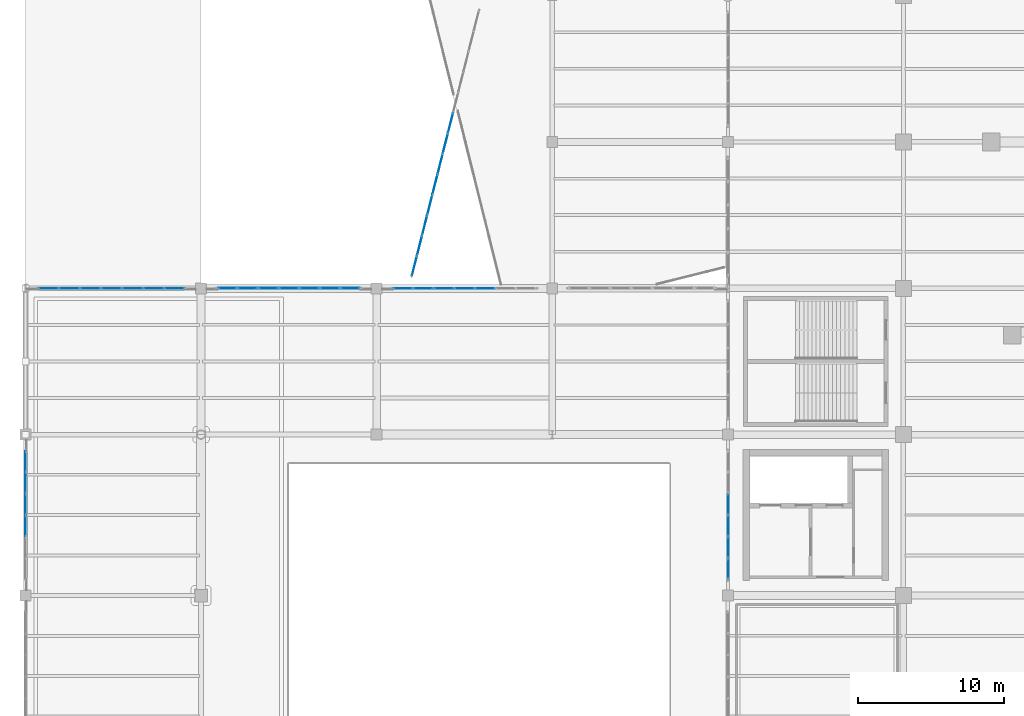
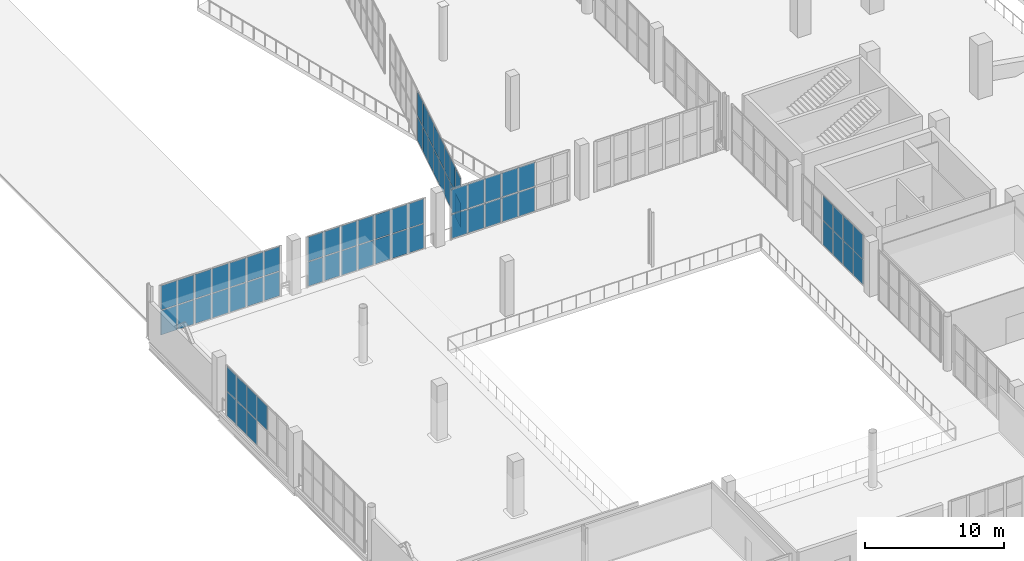
# One storey, part 93 of 136: 69 plates, 6 elements without a shape of their own.
"""IFC4 building model written with IfcOpenShell, lengths in metres."""

from ifc_helpers import new_model, si_unit, direction, frame, origin, origin_2d, place, context, subcontext, project, spatial, rectangle, extrude, material, layer, layer_set, type_object, element, aggregate, save


model = new_model("IFC4")

# Units and contexts
model_context = context("Model", 3, precision=1e-05, world=origin(), true_north=direction((0.0, 1.0)))
body_context = subcontext(model_context, "Body", "Model", "MODEL_VIEW")
ifc_project = project(units=[si_unit("LENGTHUNIT", "METRE"), si_unit("AREAUNIT", "SQUARE_METRE"), si_unit("VOLUMEUNIT", "CUBIC_METRE"), si_unit("PLANEANGLEUNIT", "RADIAN"), si_unit("MASSUNIT", "GRAM", prefix="KILO")], contexts=[model_context])

# Site, building, storey
site_placement = place(None, origin())
site = spatial("IfcSite", under=ifc_project, at=site_placement, CompositionType="ELEMENT")
building_placement = place(site_placement, origin())
building = spatial("IfcBuilding", under=site, at=building_placement, Name="Brinegate Civic Arena", CompositionType="ELEMENT")
storey_placement = place(building_placement, frame((0.0, 0.0, 5.39990234375)))
storey = spatial("IfcBuildingStorey", under=building, at=storey_placement, Name="L01", CompositionType="ELEMENT", Elevation=5.39990234375)

# Curtain wall, plates
ifc_material_1 = material(Name="Marine grade aluminium", Category="aluminium")
ifc_layer_1 = layer(ifc_material_1, 0.215087890625, Name="Marine grade aluminium")
ifc_layer_set_1 = layer_set([ifc_layer_1], Name="Marine grade aluminium")
curtain_wall_type_1 = type_object("IfcCurtainWallType", Name="CW-FOYER-GLAZED-02", PredefinedType="USERDEFINED", material=ifc_layer_set_1)
curtain_wall_1_placement = place(storey_placement, origin())
curtain_wall_1 = element("IfcCurtainWall", 1, at=curtain_wall_1_placement, inside=storey, type_object=curtain_wall_type_1, Name="Curtain Wall CWA-001", ObjectType="GLAZED CURTAIN WALL", PredefinedType="USERDEFINED")
ifc_material_2 = material(Name="Hurricane laminated low-E glass", Category="glass")
ifc_layer_2 = layer(ifc_material_2, 0.031982421875, Name="Hurricane laminated low-E glass")
ifc_layer_set_2 = layer_set([ifc_layer_2], Name="Hurricane laminated low-E glass")
plate_type_1 = type_object("IfcPlateType", Name="CW-PANEL-GLAZED-32", PredefinedType="CURTAIN_PANEL", material=ifc_layer_set_2)
plate_1_placement = place(storey_placement, frame((26.580810546875, 53.515869140625, 0.06494140625), z_axis=(0.0, 0.0, 1.0), x_axis=(0.245041635134, 0.969512556417, 0.0)))
plate_1 = element("IfcPlate", 2, at=plate_1_placement, type_object=plate_type_1, Name="CWA-001 panel 1.1", PredefinedType="CURTAIN_PANEL", context=body_context, shape_type="SweptSolid", body=[
    extrude(rectangle(XDim=1.346435546875, YDim=0.031982421875, at=origin_2d()), origin(), (0.0, 0.0, 1.0), 2.137451171875),
])
plate_2_placement = place(storey_placement, frame((26.580810546875, 53.515869140625, 2.267578125), z_axis=(0.0, 0.0, 1.0), x_axis=(0.245041635134, 0.969512556417, 0.0)))
plate_2 = element("IfcPlate", 3, at=plate_2_placement, type_object=plate_type_1, Name="CWA-001 panel 1.2", PredefinedType="CURTAIN_PANEL", context=body_context, shape_type="SweptSolid", body=[
    extrude(rectangle(XDim=1.346435546875, YDim=0.031982421875, at=origin_2d()), origin(), (0.0, 0.0, 1.0), 2.137451171875),
])
plate_3_placement = place(storey_placement, frame((26.9306640625, 54.89990234375, 0.06494140625), z_axis=(0.0, 0.0, 1.0), x_axis=(0.245041635134, 0.969512556417, 0.0)))
plate_3 = element("IfcPlate", 4, at=plate_3_placement, type_object=plate_type_1, Name="CWA-001 panel 2.1", PredefinedType="CURTAIN_PANEL", context=body_context, shape_type="SweptSolid", body=[
    extrude(rectangle(XDim=1.37890625, YDim=0.031982421875, at=origin_2d()), origin(), (0.0, 0.0, 1.0), 2.137451171875),
])
plate_4_placement = place(storey_placement, frame((26.9306640625, 54.89990234375, 2.267578125), z_axis=(0.0, 0.0, 1.0), x_axis=(0.245041635134, 0.969512556417, 0.0)))
plate_4 = element("IfcPlate", 5, at=plate_4_placement, type_object=plate_type_1, Name="CWA-001 panel 2.2", PredefinedType="CURTAIN_PANEL", context=body_context, shape_type="SweptSolid", body=[
    extrude(rectangle(XDim=1.37890625, YDim=0.031982421875, at=origin_2d()), origin(), (0.0, 0.0, 1.0), 2.137451171875),
])
plate_5_placement = place(storey_placement, frame((27.28466796875, 56.300048828125, 0.06494140625), z_axis=(0.0, 0.0, 1.0), x_axis=(0.245041635134, 0.969512556417, 0.0)))
plate_5 = element("IfcPlate", 6, at=plate_5_placement, type_object=plate_type_1, Name="CWA-001 panel 3.1", PredefinedType="CURTAIN_PANEL", context=body_context, shape_type="SweptSolid", body=[
    extrude(rectangle(XDim=1.37890625, YDim=0.031982421875, at=origin_2d()), origin(), (0.0, 0.0, 1.0), 2.137451171875),
])
plate_6_placement = place(storey_placement, frame((27.28466796875, 56.300048828125, 2.267578125), z_axis=(0.0, 0.0, 1.0), x_axis=(0.245041635134, 0.969512556417, 0.0)))
plate_6 = element("IfcPlate", 7, at=plate_6_placement, type_object=plate_type_1, Name="CWA-001 panel 3.2", PredefinedType="CURTAIN_PANEL", context=body_context, shape_type="SweptSolid", body=[
    extrude(rectangle(XDim=1.37890625, YDim=0.031982421875, at=origin_2d()), origin(), (0.0, 0.0, 1.0), 2.137451171875),
])
plate_7_placement = place(storey_placement, frame((27.638427734375, 57.699951171875, 0.06494140625), z_axis=(0.0, 0.0, 1.0), x_axis=(0.245041635134, 0.969512556417, 0.0)))
plate_7 = element("IfcPlate", 8, at=plate_7_placement, type_object=plate_type_1, Name="CWA-001 panel 4.1", PredefinedType="CURTAIN_PANEL", context=body_context, shape_type="SweptSolid", body=[
    extrude(rectangle(XDim=1.37890625, YDim=0.031982421875, at=origin_2d()), origin(), (0.0, 0.0, 1.0), 2.137451171875),
])
plate_8_placement = place(storey_placement, frame((27.638427734375, 57.699951171875, 2.267578125), z_axis=(0.0, 0.0, 1.0), x_axis=(0.245041635134, 0.969512556417, 0.0)))
plate_8 = element("IfcPlate", 9, at=plate_8_placement, type_object=plate_type_1, Name="CWA-001 panel 4.2", PredefinedType="CURTAIN_PANEL", context=body_context, shape_type="SweptSolid", body=[
    extrude(rectangle(XDim=1.37890625, YDim=0.031982421875, at=origin_2d()), origin(), (0.0, 0.0, 1.0), 2.137451171875),
])
plate_9_placement = place(storey_placement, frame((27.9921875, 59.10009765625, 0.06494140625), z_axis=(0.0, 0.0, 1.0), x_axis=(0.245041635134, 0.969512556417, 0.0)))
plate_9 = element("IfcPlate", 10, at=plate_9_placement, type_object=plate_type_1, Name="CWA-001 panel 5.1", PredefinedType="CURTAIN_PANEL", context=body_context, shape_type="SweptSolid", body=[
    extrude(rectangle(XDim=1.37890625, YDim=0.031982421875, at=origin_2d()), origin(), (0.0, 0.0, 1.0), 2.137451171875),
])
plate_10_placement = place(storey_placement, frame((27.9921875, 59.10009765625, 2.267578125), z_axis=(0.0, 0.0, 1.0), x_axis=(0.245041635134, 0.969512556417, 0.0)))
plate_10 = element("IfcPlate", 11, at=plate_10_placement, type_object=plate_type_1, Name="CWA-001 panel 5.2", PredefinedType="CURTAIN_PANEL", context=body_context, shape_type="SweptSolid", body=[
    extrude(rectangle(XDim=1.37890625, YDim=0.031982421875, at=origin_2d()), origin(), (0.0, 0.0, 1.0), 2.137451171875),
])
plate_11_placement = place(storey_placement, frame((28.34619140625, 60.5, 0.06494140625), z_axis=(0.0, 0.0, 1.0), x_axis=(0.245041635134, 0.969512556417, 0.0)))
plate_11 = element("IfcPlate", 12, at=plate_11_placement, type_object=plate_type_1, Name="CWA-001 panel 6.1", PredefinedType="CURTAIN_PANEL", context=body_context, shape_type="SweptSolid", body=[
    extrude(rectangle(XDim=1.37890625, YDim=0.031982421875, at=origin_2d()), origin(), (0.0, 0.0, 1.0), 2.137451171875),
])
plate_12_placement = place(storey_placement, frame((28.34619140625, 60.5, 2.267578125), z_axis=(0.0, 0.0, 1.0), x_axis=(0.245041635134, 0.969512556417, 0.0)))
plate_12 = element("IfcPlate", 13, at=plate_12_placement, type_object=plate_type_1, Name="CWA-001 panel 6.2", PredefinedType="CURTAIN_PANEL", context=body_context, shape_type="SweptSolid", body=[
    extrude(rectangle(XDim=1.37890625, YDim=0.031982421875, at=origin_2d()), origin(), (0.0, 0.0, 1.0), 2.137451171875),
])
plate_13_placement = place(storey_placement, frame((28.699951171875, 61.89990234375, 0.06494140625), z_axis=(0.0, 0.0, 1.0), x_axis=(0.245041635134, 0.969512556417, 0.0)))
plate_13 = element("IfcPlate", 14, at=plate_13_placement, type_object=plate_type_1, Name="CWA-001 panel 7.1", PredefinedType="CURTAIN_PANEL", context=body_context, shape_type="SweptSolid", body=[
    extrude(rectangle(XDim=1.37890625, YDim=0.031982421875, at=origin_2d()), origin(), (0.0, 0.0, 1.0), 2.137451171875),
])
plate_14_placement = place(storey_placement, frame((28.699951171875, 61.89990234375, 2.267578125), z_axis=(0.0, 0.0, 1.0), x_axis=(0.245041635134, 0.969512556417, 0.0)))
plate_14 = element("IfcPlate", 15, at=plate_14_placement, type_object=plate_type_1, Name="CWA-001 panel 7.2", PredefinedType="CURTAIN_PANEL", context=body_context, shape_type="SweptSolid", body=[
    extrude(rectangle(XDim=1.37890625, YDim=0.031982421875, at=origin_2d()), origin(), (0.0, 0.0, 1.0), 2.137451171875),
])
plate_15_placement = place(storey_placement, frame((29.053955078125, 63.300048828125, 0.06494140625), z_axis=(0.0, 0.0, 1.0), x_axis=(0.245041635134, 0.969512556417, 0.0)))
plate_15 = element("IfcPlate", 16, at=plate_15_placement, type_object=plate_type_1, Name="CWA-001 panel 8.1", PredefinedType="CURTAIN_PANEL", context=body_context, shape_type="SweptSolid", body=[
    extrude(rectangle(XDim=1.37890625, YDim=0.031982421875, at=origin_2d()), origin(), (0.0, 0.0, 1.0), 2.137451171875),
])
plate_16_placement = place(storey_placement, frame((29.053955078125, 63.300048828125, 2.267578125), z_axis=(0.0, 0.0, 1.0), x_axis=(0.245041635134, 0.969512556417, 0.0)))
plate_16 = element("IfcPlate", 17, at=plate_16_placement, type_object=plate_type_1, Name="CWA-001 panel 8.2", PredefinedType="CURTAIN_PANEL", context=body_context, shape_type="SweptSolid", body=[
    extrude(rectangle(XDim=1.37890625, YDim=0.031982421875, at=origin_2d()), origin(), (0.0, 0.0, 1.0), 2.137451171875),
])
aggregate(curtain_wall_1, [plate_1, plate_2, plate_3, plate_4, plate_5, plate_6, plate_7, plate_8, plate_9, plate_10, plate_11, plate_12, plate_13, plate_14, plate_15, plate_16])

ifc_layer_3 = layer(ifc_material_1, 0.18505859375, Name="Marine grade aluminium")
ifc_layer_set_3 = layer_set([ifc_layer_3], Name="Marine grade aluminium")
curtain_wall_type_2 = type_object("IfcCurtainWallType", Name="CW-WING-GLAZED-03", PredefinedType="USERDEFINED", material=ifc_layer_set_3)
curtain_wall_2_placement = place(storey_placement, origin())
curtain_wall_2 = element("IfcCurtainWall", 18, at=curtain_wall_2_placement, inside=storey, type_object=curtain_wall_type_2, Name="Curtain Wall CWA-013", ObjectType="GLAZED CURTAIN WALL", PredefinedType="USERDEFINED")
plate_17_placement = place(storey_placement, frame((0.0, 35.763427734375, 2.267578125), z_axis=(0.0, 0.0, 1.0), x_axis=(0.0, 1.0, 0.0)))
plate_17 = element("IfcPlate", 19, at=plate_17_placement, type_object=plate_type_1, Name="CWA-013 panel 3.2", PredefinedType="CURTAIN_PANEL", context=body_context, shape_type="SweptSolid", body=[
    extrude(rectangle(XDim=1.408447265625, YDim=0.031982421875, at=origin_2d()), origin(), (0.0, 0.0, 1.0), 2.137451171875),
])
plate_18_placement = place(storey_placement, frame((0.0, 37.236572265625, 0.06494140625), z_axis=(0.0, 0.0, 1.0), x_axis=(0.0, 1.0, 0.0)))
plate_18 = element("IfcPlate", 20, at=plate_18_placement, type_object=plate_type_1, Name="CWA-013 panel 4.1", PredefinedType="CURTAIN_PANEL", context=body_context, shape_type="SweptSolid", body=[
    extrude(rectangle(XDim=1.408447265625, YDim=0.031982421875, at=origin_2d()), origin(), (0.0, 0.0, 1.0), 2.137451171875),
])
plate_19_placement = place(storey_placement, frame((0.0, 37.236572265625, 2.267578125), z_axis=(0.0, 0.0, 1.0), x_axis=(0.0, 1.0, 0.0)))
plate_19 = element("IfcPlate", 21, at=plate_19_placement, type_object=plate_type_1, Name="CWA-013 panel 4.2", PredefinedType="CURTAIN_PANEL", context=body_context, shape_type="SweptSolid", body=[
    extrude(rectangle(XDim=1.408447265625, YDim=0.031982421875, at=origin_2d()), origin(), (0.0, 0.0, 1.0), 2.137451171875),
])
plate_20_placement = place(storey_placement, frame((0.0, 38.7099609375, 0.06494140625), z_axis=(0.0, 0.0, 1.0), x_axis=(0.0, 1.0, 0.0)))
plate_20 = element("IfcPlate", 22, at=plate_20_placement, type_object=plate_type_1, Name="CWA-013 panel 5.1", PredefinedType="CURTAIN_PANEL", context=body_context, shape_type="SweptSolid", body=[
    extrude(rectangle(XDim=1.408447265625, YDim=0.031982421875, at=origin_2d()), origin(), (0.0, 0.0, 1.0), 2.137451171875),
])
plate_21_placement = place(storey_placement, frame((0.0, 38.7099609375, 2.267578125), z_axis=(0.0, 0.0, 1.0), x_axis=(0.0, 1.0, 0.0)))
plate_21 = element("IfcPlate", 23, at=plate_21_placement, type_object=plate_type_1, Name="CWA-013 panel 5.2", PredefinedType="CURTAIN_PANEL", context=body_context, shape_type="SweptSolid", body=[
    extrude(rectangle(XDim=1.408447265625, YDim=0.031982421875, at=origin_2d()), origin(), (0.0, 0.0, 1.0), 2.137451171875),
])
plate_22_placement = place(storey_placement, frame((0.0, 40.1669921875, 0.06494140625), z_axis=(0.0, 0.0, 1.0), x_axis=(0.0, 1.0, 0.0)))
plate_22 = element("IfcPlate", 24, at=plate_22_placement, type_object=plate_type_1, Name="CWA-013 panel 6.1", PredefinedType="CURTAIN_PANEL", context=body_context, shape_type="SweptSolid", body=[
    extrude(rectangle(XDim=1.375732421875, YDim=0.031982421875, at=origin_2d()), origin(), (0.0, 0.0, 1.0), 2.137451171875),
])
plate_23_placement = place(storey_placement, frame((0.0, 40.1669921875, 2.267578125), z_axis=(0.0, 0.0, 1.0), x_axis=(0.0, 1.0, 0.0)))
plate_23 = element("IfcPlate", 25, at=plate_23_placement, type_object=plate_type_1, Name="CWA-013 panel 6.2", PredefinedType="CURTAIN_PANEL", context=body_context, shape_type="SweptSolid", body=[
    extrude(rectangle(XDim=1.375732421875, YDim=0.031982421875, at=origin_2d()), origin(), (0.0, 0.0, 1.0), 2.137451171875),
])
aggregate(curtain_wall_2, [plate_17, plate_18, plate_19, plate_20, plate_21, plate_22, plate_23])

curtain_wall_3_placement = place(storey_placement, origin())
curtain_wall_3 = element("IfcCurtainWall", 26, at=curtain_wall_3_placement, inside=storey, type_object=curtain_wall_type_2, Name="Curtain Wall CWA-016", ObjectType="GLAZED CURTAIN WALL", PredefinedType="USERDEFINED")
plate_24_placement = place(storey_placement, frame((25.799072265625, 52.0, 0.074951171875), z_axis=(0.0, 0.0, 1.0), x_axis=(1.0, 0.0, 0.0)))
plate_24 = element("IfcPlate", 27, at=plate_24_placement, type_object=plate_type_1, Name="CWA-016 panel 1.1", PredefinedType="CURTAIN_PANEL", context=body_context, shape_type="SweptSolid", body=[
    extrude(rectangle(XDim=1.30810546875, YDim=0.031982421875, at=origin_2d()), origin(), (0.0, 0.0, 1.0), 2.12255859375),
])
plate_25_placement = place(storey_placement, frame((25.799072265625, 52.0, 2.2724609375), z_axis=(0.0, 0.0, 1.0), x_axis=(1.0, 0.0, 0.0)))
plate_25 = element("IfcPlate", 28, at=plate_25_placement, type_object=plate_type_1, Name="CWA-016 panel 1.2", PredefinedType="CURTAIN_PANEL", context=body_context, shape_type="SweptSolid", body=[
    extrude(rectangle(XDim=1.30810546875, YDim=0.031982421875, at=origin_2d()), origin(), (0.0, 0.0, 1.0), 2.12255859375),
])
plate_26_placement = place(storey_placement, frame((27.1884765625, 52.0, 0.074951171875), z_axis=(0.0, 0.0, 1.0), x_axis=(1.0, 0.0, 0.0)))
plate_26 = element("IfcPlate", 29, at=plate_26_placement, type_object=plate_type_1, Name="CWA-016 panel 2.1", PredefinedType="CURTAIN_PANEL", context=body_context, shape_type="SweptSolid", body=[
    extrude(rectangle(XDim=1.3408203125, YDim=0.031982421875, at=origin_2d()), origin(), (0.0, 0.0, 1.0), 2.12255859375),
])
plate_27_placement = place(storey_placement, frame((27.1884765625, 52.0, 2.2724609375), z_axis=(0.0, 0.0, 1.0), x_axis=(1.0, 0.0, 0.0)))
plate_27 = element("IfcPlate", 30, at=plate_27_placement, type_object=plate_type_1, Name="CWA-016 panel 2.2", PredefinedType="CURTAIN_PANEL", context=body_context, shape_type="SweptSolid", body=[
    extrude(rectangle(XDim=1.3408203125, YDim=0.031982421875, at=origin_2d()), origin(), (0.0, 0.0, 1.0), 2.12255859375),
])
plate_28_placement = place(storey_placement, frame((28.59423828125, 52.0, 0.074951171875), z_axis=(0.0, 0.0, 1.0), x_axis=(1.0, 0.0, 0.0)))
plate_28 = element("IfcPlate", 31, at=plate_28_placement, type_object=plate_type_1, Name="CWA-016 panel 3.1", PredefinedType="CURTAIN_PANEL", context=body_context, shape_type="SweptSolid", body=[
    extrude(rectangle(XDim=1.3408203125, YDim=0.031982421875, at=origin_2d()), origin(), (0.0, 0.0, 1.0), 2.12255859375),
])
plate_29_placement = place(storey_placement, frame((28.59423828125, 52.0, 2.2724609375), z_axis=(0.0, 0.0, 1.0), x_axis=(1.0, 0.0, 0.0)))
plate_29 = element("IfcPlate", 32, at=plate_29_placement, type_object=plate_type_1, Name="CWA-016 panel 3.2", PredefinedType="CURTAIN_PANEL", context=body_context, shape_type="SweptSolid", body=[
    extrude(rectangle(XDim=1.3408203125, YDim=0.031982421875, at=origin_2d()), origin(), (0.0, 0.0, 1.0), 2.12255859375),
])
plate_30_placement = place(storey_placement, frame((30.0, 52.0, 0.074951171875), z_axis=(0.0, 0.0, 1.0), x_axis=(1.0, 0.0, 0.0)))
plate_30 = element("IfcPlate", 33, at=plate_30_placement, type_object=plate_type_1, Name="CWA-016 panel 4.1", PredefinedType="CURTAIN_PANEL", context=body_context, shape_type="SweptSolid", body=[
    extrude(rectangle(XDim=1.3408203125, YDim=0.031982421875, at=origin_2d()), origin(), (0.0, 0.0, 1.0), 2.12255859375),
])
plate_31_placement = place(storey_placement, frame((30.0, 52.0, 2.2724609375), z_axis=(0.0, 0.0, 1.0), x_axis=(1.0, 0.0, 0.0)))
plate_31 = element("IfcPlate", 34, at=plate_31_placement, type_object=plate_type_1, Name="CWA-016 panel 4.2", PredefinedType="CURTAIN_PANEL", context=body_context, shape_type="SweptSolid", body=[
    extrude(rectangle(XDim=1.3408203125, YDim=0.031982421875, at=origin_2d()), origin(), (0.0, 0.0, 1.0), 2.12255859375),
])
plate_32_placement = place(storey_placement, frame((31.40576171875, 52.0, 0.074951171875), z_axis=(0.0, 0.0, 1.0), x_axis=(1.0, 0.0, 0.0)))
plate_32 = element("IfcPlate", 35, at=plate_32_placement, type_object=plate_type_1, Name="CWA-016 panel 5.1", PredefinedType="CURTAIN_PANEL", context=body_context, shape_type="SweptSolid", body=[
    extrude(rectangle(XDim=1.3408203125, YDim=0.031982421875, at=origin_2d()), origin(), (0.0, 0.0, 1.0), 2.12255859375),
])
plate_33_placement = place(storey_placement, frame((31.40576171875, 52.0, 2.2724609375), z_axis=(0.0, 0.0, 1.0), x_axis=(1.0, 0.0, 0.0)))
plate_33 = element("IfcPlate", 36, at=plate_33_placement, type_object=plate_type_1, Name="CWA-016 panel 5.2", PredefinedType="CURTAIN_PANEL", context=body_context, shape_type="SweptSolid", body=[
    extrude(rectangle(XDim=1.3408203125, YDim=0.031982421875, at=origin_2d()), origin(), (0.0, 0.0, 1.0), 2.12255859375),
])
aggregate(curtain_wall_3, [plate_24, plate_25, plate_26, plate_27, plate_28, plate_29, plate_30, plate_31, plate_32, plate_33])

curtain_wall_4_placement = place(storey_placement, origin())
curtain_wall_4 = element("IfcCurtainWall", 37, at=curtain_wall_4_placement, inside=storey, type_object=curtain_wall_type_2, Name="Curtain Wall CWA-063", ObjectType="GLAZED CURTAIN WALL", PredefinedType="USERDEFINED")
plate_34_placement = place(storey_placement, frame((1.578125, 52.0, 0.06494140625), z_axis=(0.0, 0.0, 1.0), x_axis=(1.0, 0.0, 0.0)))
plate_34 = element("IfcPlate", 38, at=plate_34_placement, type_object=plate_type_1, Name="CWA-063 panel 1.1", PredefinedType="CURTAIN_PANEL", context=body_context, shape_type="SweptSolid", body=[
    extrude(rectangle(XDim=1.34228515625, YDim=0.031982421875, at=origin_2d()), origin(), (0.0, 0.0, 1.0), 2.137451171875),
])
plate_35_placement = place(storey_placement, frame((1.578125, 52.0, 2.267578125), z_axis=(0.0, 0.0, 1.0), x_axis=(1.0, 0.0, 0.0)))
plate_35 = element("IfcPlate", 39, at=plate_35_placement, type_object=plate_type_1, Name="CWA-063 panel 1.2", PredefinedType="CURTAIN_PANEL", context=body_context, shape_type="SweptSolid", body=[
    extrude(rectangle(XDim=1.34228515625, YDim=0.031982421875, at=origin_2d()), origin(), (0.0, 0.0, 1.0), 2.137451171875),
])
plate_36_placement = place(storey_placement, frame((3.00146484375, 52.0, 0.06494140625), z_axis=(0.0, 0.0, 1.0), x_axis=(1.0, 0.0, 0.0)))
plate_36 = element("IfcPlate", 40, at=plate_36_placement, type_object=plate_type_1, Name="CWA-063 panel 2.1", PredefinedType="CURTAIN_PANEL", context=body_context, shape_type="SweptSolid", body=[
    extrude(rectangle(XDim=1.374755859375, YDim=0.031982421875, at=origin_2d()), origin(), (0.0, 0.0, 1.0), 2.137451171875),
])
plate_37_placement = place(storey_placement, frame((3.00146484375, 52.0, 2.267578125), z_axis=(0.0, 0.0, 1.0), x_axis=(1.0, 0.0, 0.0)))
plate_37 = element("IfcPlate", 41, at=plate_37_placement, type_object=plate_type_1, Name="CWA-063 panel 2.2", PredefinedType="CURTAIN_PANEL", context=body_context, shape_type="SweptSolid", body=[
    extrude(rectangle(XDim=1.374755859375, YDim=0.031982421875, at=origin_2d()), origin(), (0.0, 0.0, 1.0), 2.137451171875),
])
plate_38_placement = place(storey_placement, frame((4.44140625, 52.0, 0.06494140625), z_axis=(0.0, 0.0, 1.0), x_axis=(1.0, 0.0, 0.0)))
plate_38 = element("IfcPlate", 42, at=plate_38_placement, type_object=plate_type_1, Name="CWA-063 panel 3.1", PredefinedType="CURTAIN_PANEL", context=body_context, shape_type="SweptSolid", body=[
    extrude(rectangle(XDim=1.374755859375, YDim=0.031982421875, at=origin_2d()), origin(), (0.0, 0.0, 1.0), 2.137451171875),
])
plate_39_placement = place(storey_placement, frame((4.44140625, 52.0, 2.267578125), z_axis=(0.0, 0.0, 1.0), x_axis=(1.0, 0.0, 0.0)))
plate_39 = element("IfcPlate", 43, at=plate_39_placement, type_object=plate_type_1, Name="CWA-063 panel 3.2", PredefinedType="CURTAIN_PANEL", context=body_context, shape_type="SweptSolid", body=[
    extrude(rectangle(XDim=1.374755859375, YDim=0.031982421875, at=origin_2d()), origin(), (0.0, 0.0, 1.0), 2.137451171875),
])
plate_40_placement = place(storey_placement, frame((5.881103515625, 52.0, 0.06494140625), z_axis=(0.0, 0.0, 1.0), x_axis=(1.0, 0.0, 0.0)))
plate_40 = element("IfcPlate", 44, at=plate_40_placement, type_object=plate_type_1, Name="CWA-063 panel 4.1", PredefinedType="CURTAIN_PANEL", context=body_context, shape_type="SweptSolid", body=[
    extrude(rectangle(XDim=1.374755859375, YDim=0.031982421875, at=origin_2d()), origin(), (0.0, 0.0, 1.0), 2.137451171875),
])
plate_41_placement = place(storey_placement, frame((5.881103515625, 52.0, 2.267578125), z_axis=(0.0, 0.0, 1.0), x_axis=(1.0, 0.0, 0.0)))
plate_41 = element("IfcPlate", 45, at=plate_41_placement, type_object=plate_type_1, Name="CWA-063 panel 4.2", PredefinedType="CURTAIN_PANEL", context=body_context, shape_type="SweptSolid", body=[
    extrude(rectangle(XDim=1.374755859375, YDim=0.031982421875, at=origin_2d()), origin(), (0.0, 0.0, 1.0), 2.137451171875),
])
plate_42_placement = place(storey_placement, frame((7.32080078125, 52.0, 0.06494140625), z_axis=(0.0, 0.0, 1.0), x_axis=(1.0, 0.0, 0.0)))
plate_42 = element("IfcPlate", 46, at=plate_42_placement, type_object=plate_type_1, Name="CWA-063 panel 5.1", PredefinedType="CURTAIN_PANEL", context=body_context, shape_type="SweptSolid", body=[
    extrude(rectangle(XDim=1.374755859375, YDim=0.031982421875, at=origin_2d()), origin(), (0.0, 0.0, 1.0), 2.137451171875),
])
plate_43_placement = place(storey_placement, frame((7.32080078125, 52.0, 2.267578125), z_axis=(0.0, 0.0, 1.0), x_axis=(1.0, 0.0, 0.0)))
plate_43 = element("IfcPlate", 47, at=plate_43_placement, type_object=plate_type_1, Name="CWA-063 panel 5.2", PredefinedType="CURTAIN_PANEL", context=body_context, shape_type="SweptSolid", body=[
    extrude(rectangle(XDim=1.374755859375, YDim=0.031982421875, at=origin_2d()), origin(), (0.0, 0.0, 1.0), 2.137451171875),
])
plate_44_placement = place(storey_placement, frame((8.760498046875, 52.0, 0.06494140625), z_axis=(0.0, 0.0, 1.0), x_axis=(1.0, 0.0, 0.0)))
plate_44 = element("IfcPlate", 48, at=plate_44_placement, type_object=plate_type_1, Name="CWA-063 panel 6.1", PredefinedType="CURTAIN_PANEL", context=body_context, shape_type="SweptSolid", body=[
    extrude(rectangle(XDim=1.374755859375, YDim=0.031982421875, at=origin_2d()), origin(), (0.0, 0.0, 1.0), 2.137451171875),
])
plate_45_placement = place(storey_placement, frame((8.760498046875, 52.0, 2.267578125), z_axis=(0.0, 0.0, 1.0), x_axis=(1.0, 0.0, 0.0)))
plate_45 = element("IfcPlate", 49, at=plate_45_placement, type_object=plate_type_1, Name="CWA-063 panel 6.2", PredefinedType="CURTAIN_PANEL", context=body_context, shape_type="SweptSolid", body=[
    extrude(rectangle(XDim=1.374755859375, YDim=0.031982421875, at=origin_2d()), origin(), (0.0, 0.0, 1.0), 2.137451171875),
])
plate_46_placement = place(storey_placement, frame((10.183837890625, 52.0, 0.06494140625), z_axis=(0.0, 0.0, 1.0), x_axis=(1.0, 0.0, 0.0)))
plate_46 = element("IfcPlate", 50, at=plate_46_placement, type_object=plate_type_1, Name="CWA-063 panel 7.1", PredefinedType="CURTAIN_PANEL", context=body_context, shape_type="SweptSolid", body=[
    extrude(rectangle(XDim=1.34228515625, YDim=0.031982421875, at=origin_2d()), origin(), (0.0, 0.0, 1.0), 2.137451171875),
])
plate_47_placement = place(storey_placement, frame((10.183837890625, 52.0, 2.267578125), z_axis=(0.0, 0.0, 1.0), x_axis=(1.0, 0.0, 0.0)))
plate_47 = element("IfcPlate", 51, at=plate_47_placement, type_object=plate_type_1, Name="CWA-063 panel 7.2", PredefinedType="CURTAIN_PANEL", context=body_context, shape_type="SweptSolid", body=[
    extrude(rectangle(XDim=1.34228515625, YDim=0.031982421875, at=origin_2d()), origin(), (0.0, 0.0, 1.0), 2.137451171875),
])
aggregate(curtain_wall_4, [plate_34, plate_35, plate_36, plate_37, plate_38, plate_39, plate_40, plate_41, plate_42, plate_43, plate_44, plate_45, plate_46, plate_47])

ifc_layer_4 = layer(ifc_material_1, 0.199951171875, Name="Marine grade aluminium")
ifc_layer_set_4 = layer_set([ifc_layer_4], Name="Marine grade aluminium")
curtain_wall_type_3 = type_object("IfcCurtainWallType", Name="CW-BOWL-GLAZED-01", PredefinedType="USERDEFINED", material=ifc_layer_set_4)
curtain_wall_5_placement = place(storey_placement, origin())
curtain_wall_5 = element("IfcCurtainWall", 52, at=curtain_wall_5_placement, inside=storey, type_object=curtain_wall_type_3, Name="Curtain Wall CWA-048", ObjectType="GLAZED CURTAIN WALL", PredefinedType="USERDEFINED")
ifc_layer_5 = layer(ifc_material_2, 0.035888671875, Name="Hurricane laminated low-E glass")
ifc_layer_set_5 = layer_set([ifc_layer_5], Name="Hurricane laminated low-E glass")
plate_type_2 = type_object("IfcPlateType", Name="CW-PANEL-GLAZED-36", PredefinedType="CURTAIN_PANEL", material=ifc_layer_set_5)
plate_48_placement = place(storey_placement, frame((48.0, 32.83544921875, 0.06494140625), z_axis=(0.0, 0.0, 1.0), x_axis=(0.0, 1.0, 0.0)))
plate_48 = element("IfcPlate", 53, at=plate_48_placement, type_object=plate_type_2, Name="CWA-048 panel 1.1", PredefinedType="CURTAIN_PANEL", context=body_context, shape_type="SweptSolid", body=[
    extrude(rectangle(XDim=1.36083984375, YDim=0.035888671875, at=origin_2d()), origin(), (0.0, 0.0, 1.0), 2.137451171875),
])
plate_49_placement = place(storey_placement, frame((48.0, 32.83544921875, 2.267578125), z_axis=(0.0, 0.0, 1.0), x_axis=(0.0, 1.0, 0.0)))
plate_49 = element("IfcPlate", 54, at=plate_49_placement, type_object=plate_type_2, Name="CWA-048 panel 1.2", PredefinedType="CURTAIN_PANEL", context=body_context, shape_type="SweptSolid", body=[
    extrude(rectangle(XDim=1.36083984375, YDim=0.035888671875, at=origin_2d()), origin(), (0.0, 0.0, 1.0), 2.137451171875),
])
plate_50_placement = place(storey_placement, frame((48.0, 34.2900390625, 0.06494140625), z_axis=(0.0, 0.0, 1.0), x_axis=(0.0, 1.0, 0.0)))
plate_50 = element("IfcPlate", 55, at=plate_50_placement, type_object=plate_type_2, Name="CWA-048 panel 2.1", PredefinedType="CURTAIN_PANEL", context=body_context, shape_type="SweptSolid", body=[
    extrude(rectangle(XDim=1.3984375, YDim=0.035888671875, at=origin_2d()), origin(), (0.0, 0.0, 1.0), 2.137451171875),
])
plate_51_placement = place(storey_placement, frame((48.0, 34.2900390625, 2.267578125), z_axis=(0.0, 0.0, 1.0), x_axis=(0.0, 1.0, 0.0)))
plate_51 = element("IfcPlate", 56, at=plate_51_placement, type_object=plate_type_2, Name="CWA-048 panel 2.2", PredefinedType="CURTAIN_PANEL", context=body_context, shape_type="SweptSolid", body=[
    extrude(rectangle(XDim=1.3984375, YDim=0.035888671875, at=origin_2d()), origin(), (0.0, 0.0, 1.0), 2.137451171875),
])
plate_52_placement = place(storey_placement, frame((48.0, 35.763427734375, 0.06494140625), z_axis=(0.0, 0.0, 1.0), x_axis=(0.0, 1.0, 0.0)))
plate_52 = element("IfcPlate", 57, at=plate_52_placement, type_object=plate_type_2, Name="CWA-048 panel 3.1", PredefinedType="CURTAIN_PANEL", context=body_context, shape_type="SweptSolid", body=[
    extrude(rectangle(XDim=1.3984375, YDim=0.035888671875, at=origin_2d()), origin(), (0.0, 0.0, 1.0), 2.137451171875),
])
plate_53_placement = place(storey_placement, frame((48.0, 35.763427734375, 2.267578125), z_axis=(0.0, 0.0, 1.0), x_axis=(0.0, 1.0, 0.0)))
plate_53 = element("IfcPlate", 58, at=plate_53_placement, type_object=plate_type_2, Name="CWA-048 panel 3.2", PredefinedType="CURTAIN_PANEL", context=body_context, shape_type="SweptSolid", body=[
    extrude(rectangle(XDim=1.3984375, YDim=0.035888671875, at=origin_2d()), origin(), (0.0, 0.0, 1.0), 2.137451171875),
])
plate_54_placement = place(storey_placement, frame((48.0, 37.236572265625, 0.06494140625), z_axis=(0.0, 0.0, 1.0), x_axis=(0.0, 1.0, 0.0)))
plate_54 = element("IfcPlate", 59, at=plate_54_placement, type_object=plate_type_2, Name="CWA-048 panel 4.1", PredefinedType="CURTAIN_PANEL", context=body_context, shape_type="SweptSolid", body=[
    extrude(rectangle(XDim=1.3984375, YDim=0.035888671875, at=origin_2d()), origin(), (0.0, 0.0, 1.0), 2.137451171875),
])
plate_55_placement = place(storey_placement, frame((48.0, 37.236572265625, 2.267578125), z_axis=(0.0, 0.0, 1.0), x_axis=(0.0, 1.0, 0.0)))
plate_55 = element("IfcPlate", 60, at=plate_55_placement, type_object=plate_type_2, Name="CWA-048 panel 4.2", PredefinedType="CURTAIN_PANEL", context=body_context, shape_type="SweptSolid", body=[
    extrude(rectangle(XDim=1.3984375, YDim=0.035888671875, at=origin_2d()), origin(), (0.0, 0.0, 1.0), 2.137451171875),
])
aggregate(curtain_wall_5, [plate_48, plate_49, plate_50, plate_51, plate_52, plate_53, plate_54, plate_55])

curtain_wall_6_placement = place(storey_placement, origin())
curtain_wall_6 = element("IfcCurtainWall", 61, at=curtain_wall_6_placement, inside=storey, type_object=curtain_wall_type_2, Name="Curtain Wall CWA-015", ObjectType="GLAZED CURTAIN WALL", PredefinedType="USERDEFINED")
ifc_layer_6 = layer(ifc_material_2, 0.0419921875, Name="Hurricane laminated low-E glass")
ifc_layer_set_6 = layer_set([ifc_layer_6], Name="Hurricane laminated low-E glass")
plate_type_3 = type_object("IfcPlateType", Name="CW-PANEL-SPANDREL-42", PredefinedType="CURTAIN_PANEL", material=ifc_layer_set_6)
plate_56_placement = place(storey_placement, frame((13.802978515625, 52.0, 0.06494140625), z_axis=(0.0, 0.0, 1.0), x_axis=(1.0, 0.0, 0.0)))
plate_56 = element("IfcPlate", 62, at=plate_56_placement, type_object=plate_type_3, Name="CWA-015 panel 1.1", PredefinedType="CURTAIN_PANEL", context=body_context, shape_type="SweptSolid", body=[
    extrude(rectangle(XDim=1.28564453125, YDim=0.0419921875, at=origin_2d()), origin(), (0.0, 0.0, 1.0), 2.137451171875),
])
plate_57_placement = place(storey_placement, frame((13.802978515625, 52.0, 2.267578125), z_axis=(0.0, 0.0, 1.0), x_axis=(1.0, 0.0, 0.0)))
plate_57 = element("IfcPlate", 63, at=plate_57_placement, type_object=plate_type_3, Name="CWA-015 panel 1.2", PredefinedType="CURTAIN_PANEL", context=body_context, shape_type="SweptSolid", body=[
    extrude(rectangle(XDim=1.28564453125, YDim=0.0419921875, at=origin_2d()), origin(), (0.0, 0.0, 1.0), 2.137451171875),
])
plate_58_placement = place(storey_placement, frame((15.1884765625, 52.0, 0.06494140625), z_axis=(0.0, 0.0, 1.0), x_axis=(1.0, 0.0, 0.0)))
plate_58 = element("IfcPlate", 64, at=plate_58_placement, type_object=plate_type_3, Name="CWA-015 panel 2.1", PredefinedType="CURTAIN_PANEL", context=body_context, shape_type="SweptSolid", body=[
    extrude(rectangle(XDim=1.32568359375, YDim=0.0419921875, at=origin_2d()), origin(), (0.0, 0.0, 1.0), 2.137451171875),
])
plate_59_placement = place(storey_placement, frame((15.1884765625, 52.0, 2.267578125), z_axis=(0.0, 0.0, 1.0), x_axis=(1.0, 0.0, 0.0)))
plate_59 = element("IfcPlate", 65, at=plate_59_placement, type_object=plate_type_3, Name="CWA-015 panel 2.2", PredefinedType="CURTAIN_PANEL", context=body_context, shape_type="SweptSolid", body=[
    extrude(rectangle(XDim=1.32568359375, YDim=0.0419921875, at=origin_2d()), origin(), (0.0, 0.0, 1.0), 2.137451171875),
])
plate_60_placement = place(storey_placement, frame((16.59423828125, 52.0, 0.06494140625), z_axis=(0.0, 0.0, 1.0), x_axis=(1.0, 0.0, 0.0)))
plate_60 = element("IfcPlate", 66, at=plate_60_placement, type_object=plate_type_3, Name="CWA-015 panel 3.1", PredefinedType="CURTAIN_PANEL", context=body_context, shape_type="SweptSolid", body=[
    extrude(rectangle(XDim=1.32568359375, YDim=0.0419921875, at=origin_2d()), origin(), (0.0, 0.0, 1.0), 2.137451171875),
])
plate_61_placement = place(storey_placement, frame((16.59423828125, 52.0, 2.267578125), z_axis=(0.0, 0.0, 1.0), x_axis=(1.0, 0.0, 0.0)))
plate_61 = element("IfcPlate", 67, at=plate_61_placement, type_object=plate_type_3, Name="CWA-015 panel 3.2", PredefinedType="CURTAIN_PANEL", context=body_context, shape_type="SweptSolid", body=[
    extrude(rectangle(XDim=1.32568359375, YDim=0.0419921875, at=origin_2d()), origin(), (0.0, 0.0, 1.0), 2.137451171875),
])
plate_62_placement = place(storey_placement, frame((18.0, 52.0, 0.06494140625), z_axis=(0.0, 0.0, 1.0), x_axis=(1.0, 0.0, 0.0)))
plate_62 = element("IfcPlate", 68, at=plate_62_placement, type_object=plate_type_3, Name="CWA-015 panel 4.1", PredefinedType="CURTAIN_PANEL", context=body_context, shape_type="SweptSolid", body=[
    extrude(rectangle(XDim=1.32568359375, YDim=0.0419921875, at=origin_2d()), origin(), (0.0, 0.0, 1.0), 2.137451171875),
])
plate_63_placement = place(storey_placement, frame((18.0, 52.0, 2.267578125), z_axis=(0.0, 0.0, 1.0), x_axis=(1.0, 0.0, 0.0)))
plate_63 = element("IfcPlate", 69, at=plate_63_placement, type_object=plate_type_3, Name="CWA-015 panel 4.2", PredefinedType="CURTAIN_PANEL", context=body_context, shape_type="SweptSolid", body=[
    extrude(rectangle(XDim=1.32568359375, YDim=0.0419921875, at=origin_2d()), origin(), (0.0, 0.0, 1.0), 2.137451171875),
])
plate_64_placement = place(storey_placement, frame((19.40576171875, 52.0, 0.06494140625), z_axis=(0.0, 0.0, 1.0), x_axis=(1.0, 0.0, 0.0)))
plate_64 = element("IfcPlate", 70, at=plate_64_placement, type_object=plate_type_3, Name="CWA-015 panel 5.1", PredefinedType="CURTAIN_PANEL", context=body_context, shape_type="SweptSolid", body=[
    extrude(rectangle(XDim=1.32568359375, YDim=0.0419921875, at=origin_2d()), origin(), (0.0, 0.0, 1.0), 2.137451171875),
])
plate_65_placement = place(storey_placement, frame((19.40576171875, 52.0, 2.267578125), z_axis=(0.0, 0.0, 1.0), x_axis=(1.0, 0.0, 0.0)))
plate_65 = element("IfcPlate", 71, at=plate_65_placement, type_object=plate_type_3, Name="CWA-015 panel 5.2", PredefinedType="CURTAIN_PANEL", context=body_context, shape_type="SweptSolid", body=[
    extrude(rectangle(XDim=1.32568359375, YDim=0.0419921875, at=origin_2d()), origin(), (0.0, 0.0, 1.0), 2.137451171875),
])
plate_66_placement = place(storey_placement, frame((20.8115234375, 52.0, 0.06494140625), z_axis=(0.0, 0.0, 1.0), x_axis=(1.0, 0.0, 0.0)))
plate_66 = element("IfcPlate", 72, at=plate_66_placement, type_object=plate_type_3, Name="CWA-015 panel 6.1", PredefinedType="CURTAIN_PANEL", context=body_context, shape_type="SweptSolid", body=[
    extrude(rectangle(XDim=1.32568359375, YDim=0.0419921875, at=origin_2d()), origin(), (0.0, 0.0, 1.0), 2.137451171875),
])
plate_67_placement = place(storey_placement, frame((20.8115234375, 52.0, 2.267578125), z_axis=(0.0, 0.0, 1.0), x_axis=(1.0, 0.0, 0.0)))
plate_67 = element("IfcPlate", 73, at=plate_67_placement, type_object=plate_type_3, Name="CWA-015 panel 6.2", PredefinedType="CURTAIN_PANEL", context=body_context, shape_type="SweptSolid", body=[
    extrude(rectangle(XDim=1.32568359375, YDim=0.0419921875, at=origin_2d()), origin(), (0.0, 0.0, 1.0), 2.137451171875),
])
plate_68_placement = place(storey_placement, frame((22.197021484375, 52.0, 0.06494140625), z_axis=(0.0, 0.0, 1.0), x_axis=(1.0, 0.0, 0.0)))
plate_68 = element("IfcPlate", 74, at=plate_68_placement, type_object=plate_type_3, Name="CWA-015 panel 7.1", PredefinedType="CURTAIN_PANEL", context=body_context, shape_type="SweptSolid", body=[
    extrude(rectangle(XDim=1.28564453125, YDim=0.0419921875, at=origin_2d()), origin(), (0.0, 0.0, 1.0), 2.137451171875),
])
plate_69_placement = place(storey_placement, frame((22.197021484375, 52.0, 2.267578125), z_axis=(0.0, 0.0, 1.0), x_axis=(1.0, 0.0, 0.0)))
plate_69 = element("IfcPlate", 75, at=plate_69_placement, type_object=plate_type_3, Name="CWA-015 panel 7.2", PredefinedType="CURTAIN_PANEL", context=body_context, shape_type="SweptSolid", body=[
    extrude(rectangle(XDim=1.28564453125, YDim=0.0419921875, at=origin_2d()), origin(), (0.0, 0.0, 1.0), 2.137451171875),
])
aggregate(curtain_wall_6, [plate_56, plate_57, plate_58, plate_59, plate_60, plate_61, plate_62, plate_63, plate_64, plate_65, plate_66, plate_67, plate_68, plate_69])

save(model, "model.ifc")
